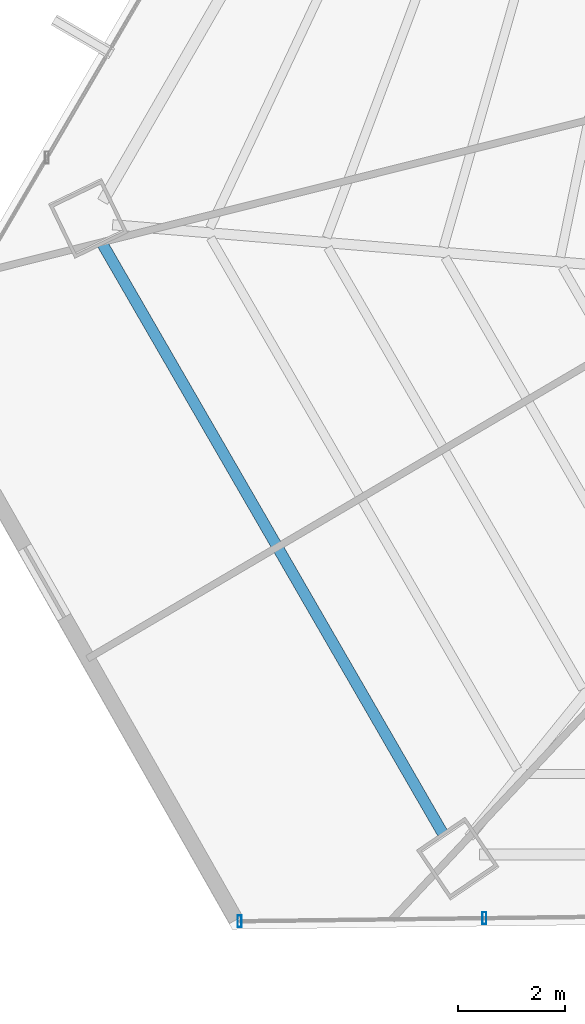
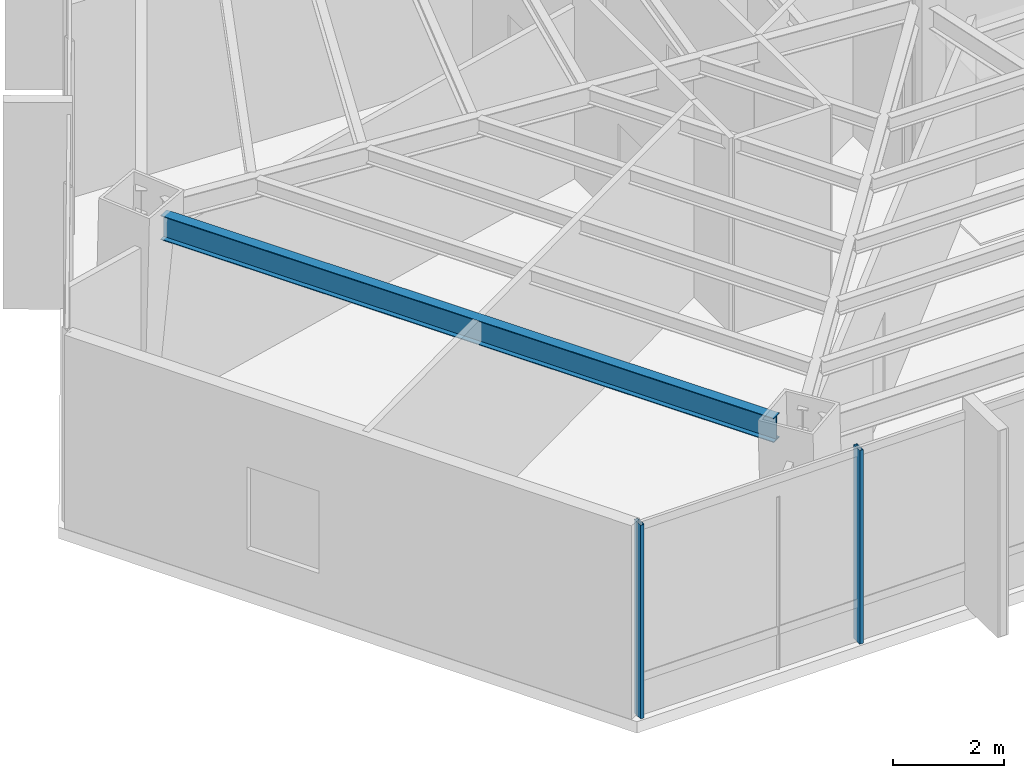
# One storey, part 2 of 37: 2 members, 1 beam, 1 element without a shape of its own.
"""IFC4 building model written with IfcOpenShell, lengths in metres."""

from ifc_helpers import new_model, si_unit, direction, frame, origin, origin_2d, place, context, subcontext, project, spatial, hollow_rectangle, i_section, extrude, source, transform, mapped, material, material_profile, profile_set, type_object, type_shapes, element, aggregate, save


model = new_model("IFC4")

# Units and contexts
model_context = context("Model", 3, precision=1e-05, world=origin(), true_north=direction((0.0, 1.0)))
body_context = subcontext(model_context, "Body", "Model", "MODEL_VIEW")
ifc_project = project(units=[si_unit("LENGTHUNIT", "METRE"), si_unit("AREAUNIT", "SQUARE_METRE"), si_unit("VOLUMEUNIT", "CUBIC_METRE"), si_unit("PLANEANGLEUNIT", "RADIAN"), si_unit("MASSUNIT", "GRAM", prefix="KILO")], contexts=[model_context])

# Site, building, storey
site_placement = place(None, origin())
site = spatial("IfcSite", under=ifc_project, at=site_placement, CompositionType="ELEMENT")
building_placement = place(site_placement, origin())
building = spatial("IfcBuilding", under=site, at=building_placement, Name="Caelisora Broadcast Tower", CompositionType="ELEMENT")
storey_placement = place(building_placement, frame((0.0, 0.0, 127.300048828125)))
storey = spatial("IfcBuildingStorey", under=building, at=storey_placement, Name="L33", CompositionType="ELEMENT", Elevation=127.300048828125)

# Beam
ifc_material_1 = material(Name="Steel Grade 350 (AS/NZS 3679.1)", Category="steel")
ifc_material_profile_1 = material_profile(ifc_material_1, i_section(OverallWidth=0.208984375, OverallDepth=0.532958984375, WebThickness=0.01025390625, FlangeThickness=0.015625, at=origin_2d()), Name="Steel Grade 350 (AS/NZS 3679.1)")
ifc_profile_set_1 = profile_set([ifc_material_profile_1], Name="Steel Grade 350 (AS/NZS 3679.1)")
beam_type = type_object("IfcBeamType", Name="PG05", PredefinedType="BEAM", material=ifc_profile_set_1)
shared_shape_1 = source(origin(), body_context, "Body", "SweptSolid", [
    extrude(i_section(OverallWidth=0.208984375, OverallDepth=0.532958984375, WebThickness=0.01025390625, FlangeThickness=0.015625, at=origin_2d()), origin(), (0.0, 0.0, 1.0), 12.724853515625),
])
type_shapes(beam_type, [shared_shape_1])
beam_placement = place(storey_placement, frame((15.371826171875, 18.2822265625, 3.9833984375), z_axis=(0.5000081092, -0.866020721885, 0.0), x_axis=(0.866020721885, 0.5000081092, 0.0)))
element("IfcBeam", 1, at=beam_placement, inside=storey, type_object=beam_type, Name="L33 beam PG05", PredefinedType="BEAM", context=body_context, shape_type="MappedRepresentation", body=[
    mapped(shared_shape_1, transform((0.0, 0.0, 0.0), scale=1.0)),
])

# Curtain wall, members
ifc_material_2 = material(Name="Unitised Aluminium and Low-E Glass Curtain Wall", Category="glass")
curtain_wall_type = type_object("IfcCurtainWallType", Name="CW-SKY", PredefinedType="NOTDEFINED", material=ifc_material_2)
curtain_wall_placement = place(storey_placement, origin())
curtain_wall = element("IfcCurtainWall", 2, at=curtain_wall_placement, inside=storey, type_object=curtain_wall_type, Name="L33 curtain wall CW-SKY", PredefinedType="NOTDEFINED")
ifc_material_3 = material(Name="Aluminium 6063-T6 Anodised Terracotta Bronze", Category="aluminium")
ifc_material_profile_2 = material_profile(ifc_material_3, hollow_rectangle(XDim=0.074951171875, YDim=0.219970703125, WallThickness=0.00390625, at=origin_2d()), Name="Aluminium 6063-T6 Anodised Terracotta Bronze")
ifc_profile_set_2 = profile_set([ifc_material_profile_2], Name="Aluminium 6063-T6 Anodised Terracotta Bronze")
member_type = type_object("IfcMemberType", Name="CWM-01", PredefinedType="MULLION", material=ifc_profile_set_2)
shared_shape_2 = source(origin(), body_context, "Body", "SweptSolid", [
    extrude(hollow_rectangle(XDim=0.074951171875, YDim=0.219970703125, WallThickness=0.00390625, at=origin_2d()), origin(), (0.0, 0.0, 1.0), 4.25),
])
type_shapes(member_type, [shared_shape_2])
member_1_placement = place(storey_placement, frame((22.516845703125, 5.673095703125, 0.0), z_axis=(0.0, 0.0, 1.0), x_axis=(1.0, 0.0, 0.0)))
member_1 = element("IfcMember", 3, at=member_1_placement, type_object=member_type, Name="L33-CW-B07 mullion #2", PredefinedType="MULLION", context=body_context, shape_type="MappedRepresentation", body=[
    mapped(shared_shape_2, transform((0.0, 0.0, 0.0), scale=1.0)),
])
member_2_placement = place(storey_placement, frame((17.93408203125, 5.615478515625, 0.0), z_axis=(0.0, 0.0, 1.0), x_axis=(1.0, 0.0, 0.0)))
member_2 = element("IfcMember", 4, at=member_2_placement, type_object=member_type, Name="L33-CW-B07 mullion #3", PredefinedType="MULLION", context=body_context, shape_type="MappedRepresentation", body=[
    mapped(shared_shape_2, transform((0.0, 0.0, 0.0), scale=1.0)),
])
aggregate(curtain_wall, [member_1, member_2])

save(model, "model.ifc")
